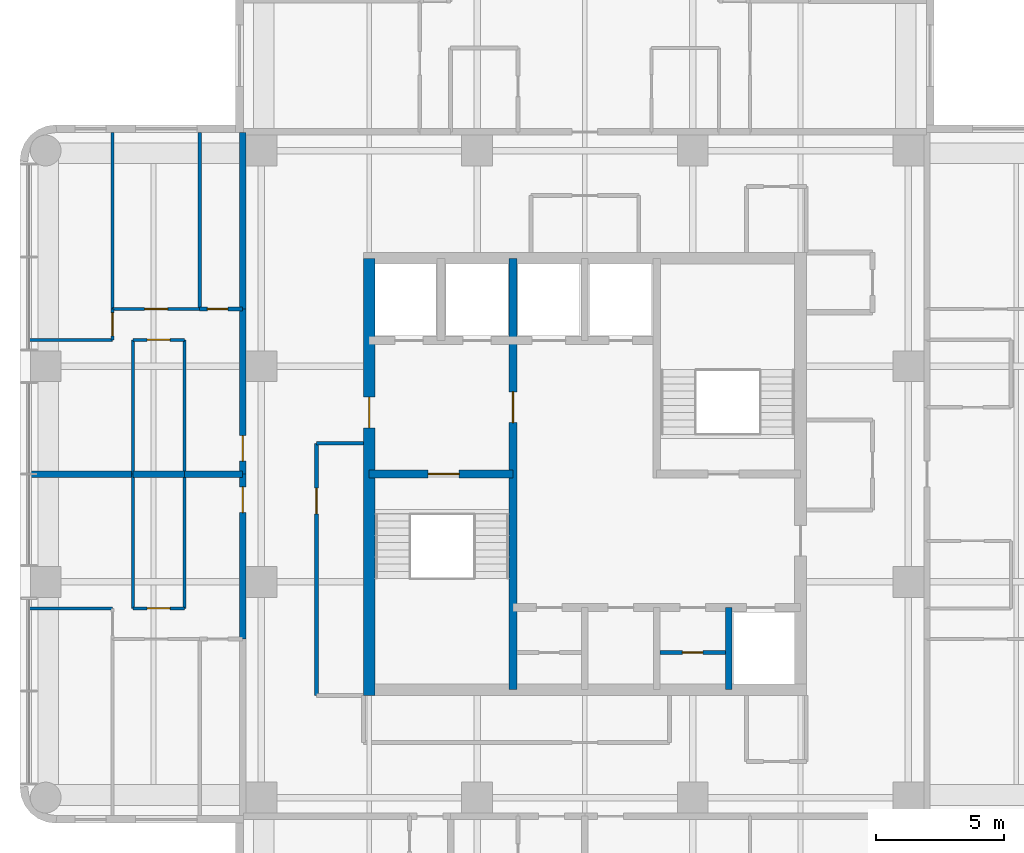
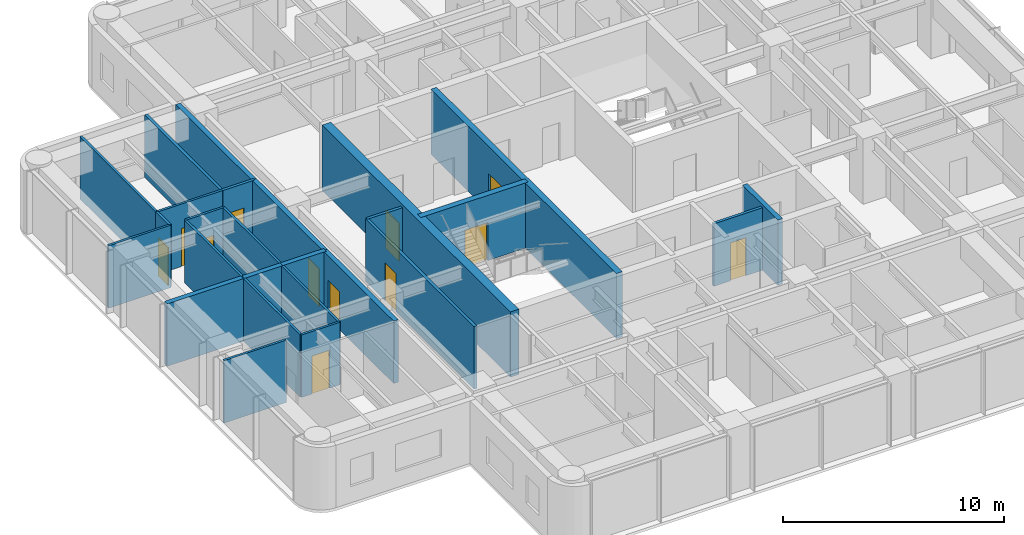
# One storey, part 5 of 10: 26 walls, 12 doors, 12 openings.
"""IFC4 building model written with IfcOpenShell, lengths in metres."""

import ifcopenshell
import ifcopenshell.guid

model = None  # the IFC model being written
_history = None  # IfcOwnerHistory: only IFC2X3 demands one
_inside = {}  # id of a spatial element -> (the spatial element, [elements in it])
_under = {}  # id of a project, library or spatial element -> (it, [spatial elements below it])
_declared = {}  # id of a project -> (the project, [libraries it declares])
_typed = {}  # id of a type object -> (the type object, [elements of that type])
_made_of = {}  # id of a material, layer set ... -> (it, [elements and type objects made of it])


def new_model(schema):
    """Start an empty IFC model of exactly this schema.

    Asked for "IFC4X3", IfcOpenShell would pick the latest addendum, in which some entities
    have other attributes; the version numbers below select the first issue.
    IFC2X3 requires an IfcOwnerHistory on every rooted entity: one is made here for all.
    """
    global model, _history
    if schema == "IFC4X3":
        model = ifcopenshell.file(schema_version=(4, 3, 0, 0))
    else:
        model = ifcopenshell.file(schema=schema)
    _inside.clear()
    _under.clear()
    _declared.clear()
    _typed.clear()
    _made_of.clear()
    _history = None
    if model.schema == "IFC2X3":
        org = make("IfcOrganization", Name="unknown")
        user = make(
            "IfcPersonAndOrganization",
            ThePerson=make("IfcPerson", FamilyName="unknown"),
            TheOrganization=org,
        )
        app = make(
            "IfcApplication",
            ApplicationDeveloper=org,
            Version="unknown",
            ApplicationFullName="unknown",
            ApplicationIdentifier="unknown",
        )
        _history = make(
            "IfcOwnerHistory",
            OwningUser=user,
            OwningApplication=app,
            ChangeAction="ADDED",
            CreationDate=0,
        )
    return model


def make(cls, **values):
    """One entity of the class cls with the attributes given. An attribute that is None is left unset."""
    return model.create_entity(
        cls, **{name: value for name, value in values.items() if value is not None}
    )


def rooted(cls, **values):
    """An entity with a GlobalId (a new one), such as an element, a storey or a relation."""
    return make(cls, GlobalId=ifcopenshell.guid.new(), OwnerHistory=_history, **values)


def si_unit(unit_type, name, prefix=None):
    """IfcSIUnit, for example si_unit("LENGTHUNIT", "METRE", prefix="MILLI")."""
    return make("IfcSIUnit", UnitType=unit_type, Prefix=prefix, Name=name)


def assignment(units):
    """IfcUnitAssignment: the units of a project."""
    return None if units is None else make("IfcUnitAssignment", Units=units)


def point(xyz):
    """IfcCartesianPoint."""
    return None if xyz is None else make("IfcCartesianPoint", Coordinates=xyz)


def direction(xyz):
    """IfcDirection."""
    return None if xyz is None else make("IfcDirection", DirectionRatios=xyz)


def frame(location, z_axis=None, x_axis=None):
    """IfcAxis2Placement3D, a coordinate frame: its origin and axes. An axis left out is left unset."""
    return make(
        "IfcAxis2Placement3D",
        Location=point(location),
        Axis=direction(z_axis),
        RefDirection=direction(x_axis),
    )


def frame_2d(location, x_axis=None):
    """IfcAxis2Placement2D, a coordinate frame in the plane: its origin and x axis."""
    return make(
        "IfcAxis2Placement2D", Location=point(location), RefDirection=direction(x_axis)
    )


def origin():
    """The frame at (0, 0, 0) with its axes left unset."""
    return frame((0.0, 0.0, 0.0))


def place(relative_to, where):
    """IfcLocalPlacement: puts the frame where relative to a parent placement (None: the world)."""
    return make(
        "IfcLocalPlacement", PlacementRelTo=relative_to, RelativePlacement=where
    )


def context(
    kind, dimensions, precision=None, world=None, true_north=None, identifier=None
):
    """IfcGeometricRepresentationContext, for example the 3D "Model" context."""
    return make(
        "IfcGeometricRepresentationContext",
        ContextIdentifier=identifier,
        ContextType=kind,
        CoordinateSpaceDimension=dimensions,
        Precision=precision,
        WorldCoordinateSystem=world,
        TrueNorth=true_north,
    )


def subcontext(parent, identifier, kind, view, scale=None):
    """IfcGeometricRepresentationSubContext, for example "Body" below "Model"."""
    return make(
        "IfcGeometricRepresentationSubContext",
        ContextIdentifier=identifier,
        ContextType=kind,
        ParentContext=parent,
        TargetScale=scale,
        TargetView=view,
    )


def project(units=None, contexts=None):
    """IfcProject with its units and contexts."""
    return rooted(
        "IfcProject",
        Name="project",
        RepresentationContexts=contexts,
        UnitsInContext=assignment(units),
    )


def spatial(cls, under=None, at=None, **own):
    """A site, building, storey or space (cls), placed at a placement, below another one or the project."""
    s = rooted(cls, ObjectPlacement=at, **own)
    if under is not None:
        _under.setdefault(under.id(), (under, []))[1].append(s)
    return s


def profile(cls, at=None, kind="AREA", **sizes):
    """A parametric profile (cls). Its sizes go by their IFC names, for example OverallWidth=200.0."""
    return make(cls, ProfileType=kind, Position=at, **sizes)


def rectangle(**sizes):
    """IfcRectangleProfileDef."""
    return profile("IfcRectangleProfileDef", **sizes)


def extrude(swept, where, along, depth):
    """IfcExtrudedAreaSolid: the profile swept, set in the frame where, extruded along a direction by depth."""
    return make(
        "IfcExtrudedAreaSolid",
        SweptArea=swept,
        Position=where,
        ExtrudedDirection=direction(along),
        Depth=depth,
    )


def shape(context_of_items, identifier, shape_type, items):
    """IfcShapeRepresentation: the items that make up one representation, for example the "Body"."""
    return make(
        "IfcShapeRepresentation",
        ContextOfItems=context_of_items,
        RepresentationIdentifier=identifier,
        RepresentationType=shape_type,
        Items=items,
    )


def material(Name=None, Category=None):
    """IfcMaterial."""
    return make("IfcMaterial", Name=Name, Category=Category)


def layer(
    of_material, thickness, ventilated=None, Name=None, Category=None, Priority=None
):
    """IfcMaterialLayer: one layer of a wall or slab, of a material (None: an air gap)."""
    return make(
        "IfcMaterialLayer",
        Material=of_material,
        LayerThickness=thickness,
        IsVentilated=ventilated,
        Name=Name,
        Category=Category,
        Priority=Priority,
    )


def layer_set(layers, Name=None):
    """IfcMaterialLayerSet."""
    return make("IfcMaterialLayerSet", MaterialLayers=layers, LayerSetName=Name)


def made_of(thing, what):
    """Note that an element or type object is made of a material, layer set ...; save() writes the relation."""
    if what is not None:
        _made_of.setdefault(what.id(), (what, []))[1].append(thing)
    return thing


def type_object(cls, material=None, **own):
    """A type object (cls), such as IfcWallType, which elements share."""
    return made_of(rooted(cls, **own), material)


def element(
    cls,
    number,
    at=None,
    inside=None,
    cuts=None,
    type_object=None,
    material=None,
    context=None,
    identifier="Body",
    shape_type=None,
    held_by="IfcProductDefinitionShape",
    body=None,
    shapes=None,
    **own,
):
    """One element of the class cls, such as IfcWall. Its Tag is "e" and its number.

    at: its placement. inside: the storey or other place that contains it. cuts: it is an
    opening in that element (IfcRelVoidsElement). A single representation is given by context,
    identifier, shape_type and body (its items); several are given by shapes. held_by: the class
    of the entity that holds the representations. save() writes the other relations.
    """
    e = rooted(cls, Tag="e%d" % number, ObjectPlacement=at, **own)
    if body is not None:
        shapes = [shape(context, identifier, shape_type, body)]
    if shapes is not None:
        e.Representation = make(held_by, Representations=shapes)
    if inside is not None:
        _inside.setdefault(inside.id(), (inside, []))[1].append(e)
    if cuts is not None:
        rooted(
            "IfcRelVoidsElement", RelatingBuildingElement=cuts, RelatedOpeningElement=e
        )
    if type_object is not None:
        _typed.setdefault(type_object.id(), (type_object, []))[1].append(e)
    return made_of(e, material)


def fill(opening, filler):
    """IfcRelFillsElement: the door or window that sits in an opening."""
    return rooted(
        "IfcRelFillsElement",
        RelatingOpeningElement=opening,
        RelatedBuildingElement=filler,
    )


def aggregate(whole, parts):
    """IfcRelAggregates: a whole, such as a stair, and the parts it consists of."""
    return rooted("IfcRelAggregates", RelatingObject=whole, RelatedObjects=parts)


def save(model, path):
    """Write the relations noted so far, then the file.

    IfcRelAggregates (storeys below a building ...), IfcRelContainedInSpatialStructure (elements
    in a storey), IfcRelDefinesByType, IfcRelAssociatesMaterial and IfcRelDeclares: one each for
    every whole, place, type object, material and project.
    """
    for whole, parts in _under.values():
        aggregate(whole, parts)
    for where, things in _inside.values():
        rooted(
            "IfcRelContainedInSpatialStructure",
            RelatedElements=things,
            RelatingStructure=where,
        )
    for kind, things in _typed.values():
        rooted("IfcRelDefinesByType", RelatedObjects=things, RelatingType=kind)
    for what, things in _made_of.values():
        rooted("IfcRelAssociatesMaterial", RelatedObjects=things, RelatingMaterial=what)
    for by, libraries in _declared.values():
        rooted("IfcRelDeclares", RelatingContext=by, RelatedDefinitions=libraries)
    model.write(path)


model = new_model("IFC4")

# Units and contexts
model_context = context("Model", 3, precision=1e-05, world=origin(), true_north=direction((0.0, 1.0)))
body_context = subcontext(model_context, "Body", "Model", "MODEL_VIEW")
ifc_project = project(units=[si_unit("LENGTHUNIT", "METRE"), si_unit("AREAUNIT", "SQUARE_METRE"), si_unit("VOLUMEUNIT", "CUBIC_METRE"), si_unit("PLANEANGLEUNIT", "RADIAN"), si_unit("MASSUNIT", "GRAM", prefix="KILO")], contexts=[model_context])

# Site, building, storey
site_placement = place(None, origin())
site = spatial("IfcSite", under=ifc_project, at=site_placement, CompositionType="ELEMENT")
building_placement = place(site_placement, origin())
building = spatial("IfcBuilding", under=site, at=building_placement, Name="Torre Alcanfor", CompositionType="ELEMENT")
storey_placement = place(building_placement, frame((0.0, 0.0, 261.300048828125)))
storey = spatial("IfcBuildingStorey", under=building, at=storey_placement, Name="L68", CompositionType="ELEMENT", Elevation=261.300048828125)

# Wall, opening, door
ifc_material_1 = material(Name="Concrete block masonry, hollow blocks NMX-C-404 9 MPa", Category="masonry")
ifc_layer_1 = layer(ifc_material_1, 0.25)
ifc_layer_set_1 = layer_set([ifc_layer_1], Name="Apartment entrance wall 250 EI 60")
wall_type_1 = type_object("IfcWallType", Name="Apartment entrance wall 250 EI 60", PredefinedType="PARTITIONING", material=ifc_layer_set_1)
wall_1_placement = place(storey_placement, frame((16.074951171875, 22.970947265625, 0.0), z_axis=(0.0, 0.0, 1.0), x_axis=(0.0, 1.0, 0.0)))
wall_1 = element("IfcWall", 1, at=wall_1_placement, inside=storey, type_object=wall_type_1, Name="Partition L68-CORR / L68-W1-LIVING", PredefinedType="PARTITIONING", context=body_context, shape_type="SweptSolid", body=[
    extrude(rectangle(XDim=6.428955078125, YDim=0.25, at=frame_2d((3.21435546875, 0.0))), origin(), (0.0, 0.0, 1.0), 3.449951171875),
])
opening_1_placement = place(wall_1_placement, frame((4.928955078125, 0.0, 0.0)))
opening_1 = element("IfcOpeningElement", 2, at=opening_1_placement, cuts=wall_1, Name="Opening D-A1", PredefinedType="OPENING", context=body_context, shape_type="SweptSolid", body=[
    extrude(rectangle(XDim=1.0, YDim=2.10009765625, at=frame_2d((0.5, 1.050048828125))), frame((0.0, 0.135009765625, 0.0), z_axis=(0.0, -1.0, 0.0), x_axis=(1.0, 0.0, 0.0)), (0.0, 0.0, 1.0), 0.27001953125),
])
ifc_material_2 = material(Name="Galvanised steel sheet ASTM A653", Category="steel")
door_type_1 = type_object("IfcDoorType", Name="Apartment entrance door FD60 1000x2100", OperationType="SINGLE_SWING_LEFT", PredefinedType="DOOR", material=ifc_material_2)
door_1_placement = place(opening_1_placement, origin())
door_1 = element("IfcDoor", 3, at=door_1_placement, inside=storey, type_object=door_type_1, Name="Apartment entrance L68-W1", OperationType="SINGLE_SWING_RIGHT", OverallHeight=2.10009765625, OverallWidth=1.0, PredefinedType="DOOR", context=body_context, shape_type="SweptSolid", body=[
    extrude(rectangle(XDim=1.0, YDim=2.10009765625, at=frame_2d((0.5, 1.050048828125))), frame((0.0, 0.02490234375, 0.0), z_axis=(0.0, -1.0, 0.0), x_axis=(1.0, 0.0, 0.0)), (0.0, 0.0, 1.0), 0.050048828125),
])
fill(opening_1, door_1)

wall_2_placement = place(storey_placement, frame((16.074951171875, 29.39990234375, 0.0), z_axis=(0.0, 0.0, 1.0), x_axis=(0.0, 1.0, 0.0)))
wall_2 = element("IfcWall", 4, at=wall_2_placement, inside=storey, type_object=wall_type_1, Name="Partition L68-CORR / L68-W2-LIVING", PredefinedType="PARTITIONING", context=body_context, shape_type="SweptSolid", body=[
    extrude(rectangle(XDim=6.42919921875, YDim=0.25, at=frame_2d((3.214599609375, 0.0))), origin(), (0.0, 0.0, 1.0), 3.449951171875),
])
opening_2_placement = place(wall_2_placement, frame((0.5, 0.0, 0.0)))
opening_2 = element("IfcOpeningElement", 5, at=opening_2_placement, cuts=wall_2, Name="Opening D-A1", PredefinedType="OPENING", context=body_context, shape_type="SweptSolid", body=[
    extrude(rectangle(XDim=1.0, YDim=2.10009765625, at=frame_2d((0.5, 1.050048828125))), frame((0.0, 0.135009765625, 0.0), z_axis=(0.0, -1.0, 0.0), x_axis=(1.0, 0.0, 0.0)), (0.0, 0.0, 1.0), 0.27001953125),
])
door_2_placement = place(opening_2_placement, origin())
door_2 = element("IfcDoor", 6, at=door_2_placement, inside=storey, type_object=door_type_1, Name="Apartment entrance L68-W2", OperationType="SINGLE_SWING_LEFT", OverallHeight=2.10009765625, OverallWidth=1.0, PredefinedType="DOOR", context=body_context, shape_type="SweptSolid", body=[
    extrude(rectangle(XDim=1.0, YDim=2.10009765625, at=frame_2d((0.5, 1.050048828125))), frame((0.0, 0.02490234375, 0.0), z_axis=(0.0, -1.0, 0.0), x_axis=(1.0, 0.0, 0.0)), (0.0, 0.0, 1.0), 0.050048828125),
])
fill(opening_2, door_2)

# Walls
wall_3_placement = place(storey_placement, frame((16.074951171875, 35.8291015625, 0.0), z_axis=(0.0, 0.0, 1.0), x_axis=(0.0, 1.0, 0.0)))
element("IfcWall", 7, at=wall_3_placement, inside=storey, type_object=wall_type_1, Name="Partition L68-CORR / L68-W2-BATH", PredefinedType="PARTITIONING", context=body_context, shape_type="SweptSolid", body=[
    extrude(rectangle(XDim=6.870849609375, YDim=0.25, at=frame_2d((3.435546875, 0.0))), origin(), (0.0, 0.0, 1.0), 3.449951171875),
])
ifc_material_3 = material(Name="Gypsum board on steel studs", Category="steel")
ifc_layer_2 = layer(ifc_material_3, 0.1201171875)
ifc_layer_set_2 = layer_set([ifc_layer_2], Name="Apartment partition 120")
wall_type_2 = type_object("IfcWallType", Name="Apartment partition 120", PredefinedType="PARTITIONING", material=ifc_layer_set_2)
wall_4_placement = place(storey_placement, frame((11.800048828125, 29.39990234375, 0.0), z_axis=(0.0, 0.0, 1.0), x_axis=(0.0, -1.0, 0.0)))
element("IfcWall", 8, at=wall_4_placement, inside=storey, type_object=wall_type_2, Name="Partition L68-W1-KITCHEN / L68-W1-LIVING", PredefinedType="PARTITIONING", context=body_context, shape_type="SweptSolid", body=[
    extrude(rectangle(XDim=5.22900390625, YDim=0.1201171875, at=frame_2d((2.614501953125, 0.0))), origin(), (0.0, 0.0, 1.0), 3.449951171875),
])

# Wall, opening, door
wall_5_placement = place(storey_placement, frame((11.800048828125, 24.1708984375, 0.0), z_axis=(0.0, 0.0, 1.0), x_axis=(1.0, 0.0, 0.0)))
wall_5 = element("IfcWall", 9, at=wall_5_placement, inside=storey, type_object=wall_type_2, Name="Partition L68-W1-KITCHEN / L68-W1-LIVING", PredefinedType="PARTITIONING", context=body_context, shape_type="SweptSolid", body=[
    extrude(rectangle(XDim=2.0, YDim=0.1201171875, at=frame_2d((1.0, 0.0))), origin(), (0.0, 0.0, 1.0), 3.449951171875),
])
opening_3_placement = place(wall_5_placement, frame((0.550048828125, 0.0, 0.0)))
opening_3 = element("IfcOpeningElement", 10, at=opening_3_placement, cuts=wall_5, Name="Opening D-R1", PredefinedType="OPENING", context=body_context, shape_type="SweptSolid", body=[
    extrude(rectangle(XDim=0.89990234375, YDim=2.10009765625, at=frame_2d((0.449951171875, 1.050048828125))), frame((0.0, 0.070068359375, 0.0), z_axis=(0.0, -1.0, 0.0), x_axis=(1.0, 0.0, 0.0)), (0.0, 0.0, 1.0), 0.14013671875),
])
ifc_material_4 = material(Name="Timber", Category="wood")
door_type_2 = type_object("IfcDoorType", Name="Internal door 900x2100", OperationType="SINGLE_SWING_LEFT", PredefinedType="DOOR", material=ifc_material_4)
door_3_placement = place(opening_3_placement, origin())
door_3 = element("IfcDoor", 11, at=door_3_placement, inside=storey, type_object=door_type_2, Name="Door L68-W1 kitchen", OperationType="SINGLE_SWING_LEFT", OverallHeight=2.10009765625, OverallWidth=0.89990234375, PredefinedType="DOOR", context=body_context, shape_type="SweptSolid", body=[
    extrude(rectangle(XDim=0.89990234375, YDim=2.10009765625, at=frame_2d((0.449951171875, 1.050048828125))), frame((0.0, 0.02490234375, 0.0), z_axis=(0.0, -1.0, 0.0), x_axis=(1.0, 0.0, 0.0)), (0.0, 0.0, 1.0), 0.050048828125),
])
fill(opening_3, door_3)

# Walls
wall_6_placement = place(storey_placement, frame((13.800048828125, 24.1708984375, 0.0), z_axis=(0.0, 0.0, 1.0), x_axis=(0.0, 1.0, 0.0)))
element("IfcWall", 12, at=wall_6_placement, inside=storey, type_object=wall_type_2, Name="Partition L68-W1-KITCHEN / L68-W1-LIVING", PredefinedType="PARTITIONING", context=body_context, shape_type="SweptSolid", body=[
    extrude(rectangle(XDim=5.22900390625, YDim=0.1201171875, at=frame_2d((2.614501953125, 0.0))), origin(), (0.0, 0.0, 1.0), 3.449951171875),
])
wall_7_placement = place(storey_placement, frame((11.0, 24.1708984375, 0.0), z_axis=(0.0, 0.0, 1.0), x_axis=(-1.0, 0.0, 0.0)))
element("IfcWall", 13, at=wall_7_placement, inside=storey, type_object=wall_type_2, Name="Partition L68-W1-LIVING / L68-W1-MASTER", PredefinedType="PARTITIONING", context=body_context, shape_type="SweptSolid", body=[
    extrude(rectangle(XDim=3.25, YDim=0.1201171875, at=frame_2d((1.625, 0.0))), origin(), (0.0, 0.0, 1.0), 3.449951171875),
])
wall_8_placement = place(storey_placement, frame((11.800048828125, 29.39990234375, 0.0), z_axis=(0.0, 0.0, 1.0), x_axis=(0.0, 1.0, 0.0)))
element("IfcWall", 14, at=wall_8_placement, inside=storey, type_object=wall_type_2, Name="Partition L68-W2-KITCHEN / L68-W2-LIVING", PredefinedType="PARTITIONING", context=body_context, shape_type="SweptSolid", body=[
    extrude(rectangle(XDim=5.22900390625, YDim=0.1201171875, at=frame_2d((2.614501953125, 0.0))), origin(), (0.0, 0.0, 1.0), 3.449951171875),
])

# Wall, opening, door
wall_9_placement = place(storey_placement, frame((11.800048828125, 34.62890625, 0.0), z_axis=(0.0, 0.0, 1.0), x_axis=(1.0, 0.0, 0.0)))
wall_9 = element("IfcWall", 15, at=wall_9_placement, inside=storey, type_object=wall_type_2, Name="Partition L68-W2-KITCHEN / L68-W2-LIVING", PredefinedType="PARTITIONING", context=body_context, shape_type="SweptSolid", body=[
    extrude(rectangle(XDim=2.0, YDim=0.1201171875, at=frame_2d((1.0, 0.0))), origin(), (0.0, 0.0, 1.0), 3.449951171875),
])
opening_4_placement = place(wall_9_placement, frame((0.550048828125, 0.0, 0.0)))
opening_4 = element("IfcOpeningElement", 16, at=opening_4_placement, cuts=wall_9, Name="Opening D-R1", PredefinedType="OPENING", context=body_context, shape_type="SweptSolid", body=[
    extrude(rectangle(XDim=0.89990234375, YDim=2.10009765625, at=frame_2d((0.449951171875, 1.050048828125))), frame((0.0, 0.070068359375, 0.0), z_axis=(0.0, -1.0, 0.0), x_axis=(1.0, 0.0, 0.0)), (0.0, 0.0, 1.0), 0.14013671875),
])
door_4_placement = place(opening_4_placement, frame((0.89990234375, 0.0, 0.0), z_axis=(0.0, 0.0, 1.0), x_axis=(-1.0, 0.0, 0.0)))
door_4 = element("IfcDoor", 17, at=door_4_placement, inside=storey, type_object=door_type_2, Name="Door L68-W2 kitchen", OperationType="SINGLE_SWING_RIGHT", OverallHeight=2.10009765625, OverallWidth=0.89990234375, PredefinedType="DOOR", context=body_context, shape_type="SweptSolid", body=[
    extrude(rectangle(XDim=0.89990234375, YDim=2.10009765625, at=frame_2d((0.449951171875, 1.050048828125))), frame((0.0, 0.025146484375, 0.0), z_axis=(0.0, -1.0, 0.0), x_axis=(1.0, 0.0, 0.0)), (0.0, 0.0, 1.0), 0.050048828125),
])
fill(opening_4, door_4)

# Wall
wall_10_placement = place(storey_placement, frame((13.800048828125, 34.62890625, 0.0), z_axis=(0.0, 0.0, 1.0), x_axis=(0.0, -1.0, 0.0)))
element("IfcWall", 18, at=wall_10_placement, inside=storey, type_object=wall_type_2, Name="Partition L68-W2-KITCHEN / L68-W2-LIVING", PredefinedType="PARTITIONING", context=body_context, shape_type="SweptSolid", body=[
    extrude(rectangle(XDim=5.22900390625, YDim=0.1201171875, at=frame_2d((2.614501953125, 0.0))), origin(), (0.0, 0.0, 1.0), 3.449951171875),
])

# Wall, opening, door
wall_11_placement = place(storey_placement, frame((11.0, 35.8291015625, 0.0), z_axis=(0.0, 0.0, 1.0), x_axis=(1.0, 0.0, 0.0)))
wall_11 = element("IfcWall", 19, at=wall_11_placement, inside=storey, type_object=wall_type_2, Name="Partition L68-W2-LIVING / L68-W2-STUDY", PredefinedType="PARTITIONING", context=body_context, shape_type="SweptSolid", body=[
    extrude(rectangle(XDim=3.39990234375, YDim=0.1201171875, at=frame_2d((1.699951171875, 0.0))), origin(), (0.0, 0.0, 1.0), 3.449951171875),
])
opening_5_placement = place(wall_11_placement, frame((1.25, 0.0, 0.0)))
opening_5 = element("IfcOpeningElement", 20, at=opening_5_placement, cuts=wall_11, Name="Opening D-R1", PredefinedType="OPENING", context=body_context, shape_type="SweptSolid", body=[
    extrude(rectangle(XDim=0.89990234375, YDim=2.10009765625, at=frame_2d((0.449951171875, 1.050048828125))), frame((0.0, 0.070068359375, 0.0), z_axis=(0.0, -1.0, 0.0), x_axis=(1.0, 0.0, 0.0)), (0.0, 0.0, 1.0), 0.14013671875),
])
door_5_placement = place(opening_5_placement, origin())
door_5 = element("IfcDoor", 21, at=door_5_placement, inside=storey, type_object=door_type_2, Name="Door L68-W2 study", OperationType="SINGLE_SWING_LEFT", OverallHeight=2.10009765625, OverallWidth=0.89990234375, PredefinedType="DOOR", context=body_context, shape_type="SweptSolid", body=[
    extrude(rectangle(XDim=0.89990234375, YDim=2.10009765625, at=frame_2d((0.449951171875, 1.050048828125))), frame((0.0, 0.02490234375, 0.0), z_axis=(0.0, -1.0, 0.0), x_axis=(1.0, 0.0, 0.0)), (0.0, 0.0, 1.0), 0.050048828125),
])
fill(opening_5, door_5)

# Wall
wall_12_placement = place(storey_placement, frame((7.75, 34.62890625, 0.0), z_axis=(0.0, 0.0, 1.0), x_axis=(1.0, 0.0, 0.0)))
element("IfcWall", 22, at=wall_12_placement, inside=storey, type_object=wall_type_2, Name="Partition L68-W2-LIVING / L68-W2-MASTER", PredefinedType="PARTITIONING", context=body_context, shape_type="SweptSolid", body=[
    extrude(rectangle(XDim=3.25, YDim=0.1201171875, at=frame_2d((1.625, 0.0))), origin(), (0.0, 0.0, 1.0), 3.449951171875),
])

# Wall, opening, door
wall_13_placement = place(storey_placement, frame((11.0, 34.62890625, 0.0), z_axis=(0.0, 0.0, 1.0), x_axis=(0.0, 1.0, 0.0)))
wall_13 = element("IfcWall", 23, at=wall_13_placement, inside=storey, type_object=wall_type_2, Name="Partition L68-W2-LIVING / L68-W2-MASTER", PredefinedType="PARTITIONING", context=body_context, shape_type="SweptSolid", body=[
    extrude(rectangle(XDim=1.2001953125, YDim=0.1201171875, at=frame_2d((0.60009765625, 0.0))), origin(), (0.0, 0.0, 1.0), 3.449951171875),
])
opening_6_placement = place(wall_13_placement, frame((0.15087890625, 0.0, 0.0)))
opening_6 = element("IfcOpeningElement", 24, at=opening_6_placement, cuts=wall_13, Name="Opening D-R1", PredefinedType="OPENING", context=body_context, shape_type="SweptSolid", body=[
    extrude(rectangle(XDim=0.89990234375, YDim=2.10009765625, at=frame_2d((0.449951171875, 1.050048828125))), frame((0.0, 0.070068359375, 0.0), z_axis=(0.0, -1.0, 0.0), x_axis=(1.0, 0.0, 0.0)), (0.0, 0.0, 1.0), 0.14013671875),
])
door_6_placement = place(opening_6_placement, origin())
door_6 = element("IfcDoor", 25, at=door_6_placement, inside=storey, type_object=door_type_2, Name="Door L68-W2 master", OperationType="SINGLE_SWING_LEFT", OverallHeight=2.10009765625, OverallWidth=0.89990234375, PredefinedType="DOOR", context=body_context, shape_type="SweptSolid", body=[
    extrude(rectangle(XDim=0.89990234375, YDim=2.10009765625, at=frame_2d((0.449951171875, 1.050048828125))), frame((0.0, 0.02490234375, 0.0), z_axis=(0.0, -1.0, 0.0), x_axis=(1.0, 0.0, 0.0)), (0.0, 0.0, 1.0), 0.050048828125),
])
fill(opening_6, door_6)

# Wall
wall_14_placement = place(storey_placement, frame((11.0, 35.8291015625, 0.0), z_axis=(0.0, 0.0, 1.0), x_axis=(0.0, 1.0, 0.0)))
element("IfcWall", 26, at=wall_14_placement, inside=storey, type_object=wall_type_2, Name="Partition L68-W2-STUDY / L68-W2-MASTER", PredefinedType="PARTITIONING", context=body_context, shape_type="SweptSolid", body=[
    extrude(rectangle(XDim=6.870849609375, YDim=0.1201171875, at=frame_2d((3.435546875, 0.0))), origin(), (0.0, 0.0, 1.0), 3.449951171875),
])

# Wall, opening, door
ifc_material_5 = material(Name="Concrete f'c 70 MPa", Category="concrete")
ifc_layer_3 = layer(ifc_material_5, 0.300048828125)
ifc_layer_set_3 = layer_set([ifc_layer_3], Name="Core inner wall 300 f'c70")
wall_type_3 = type_object("IfcWallType", Name="Core inner wall 300 f'c70", PredefinedType="SHEAR", material=ifc_layer_set_3)
wall_15_placement = place(storey_placement, frame((26.60009765625, 21.0, 0.0), z_axis=(0.0, 0.0, 1.0), x_axis=(0.0, 1.0, 0.0)))
wall_15 = element("IfcWall", 27, at=wall_15_placement, inside=storey, type_object=wall_type_3, Name="Core wall X266 L68", PredefinedType="SHEAR", context=body_context, shape_type="SweptSolid", body=[
    extrude(rectangle(XDim=16.800048828125, YDim=0.300048828125, at=frame_2d((8.39990234375, 0.0))), origin(), (0.0, 0.0, 1.0), 3.599853515625),
])
opening_7_placement = place(wall_15_placement, frame((10.39990234375, 0.0, 0.0)))
opening_7 = element("IfcOpeningElement", 28, at=opening_7_placement, cuts=wall_15, Name="Opening D-L1", PredefinedType="OPENING", context=body_context, shape_type="SweptSolid", body=[
    extrude(rectangle(XDim=1.199951171875, YDim=2.10009765625, at=frame_2d((0.60009765625, 1.050048828125))), frame((0.0, 0.159912109375, 0.0), z_axis=(0.0, -1.0, 0.0), x_axis=(1.0, 0.0, 0.0)), (0.0, 0.0, 1.0), 0.320068359375),
])
ifc_material_6 = material(Name="Galvanised steel sheet ASTM A653", Category="steel")
door_type_3 = type_object("IfcDoorType", Name="Lobby door FD120 1200x2100", OperationType="SINGLE_SWING_LEFT", PredefinedType="DOOR", material=ifc_material_6)
door_7_placement = place(opening_7_placement, origin())
door_7 = element("IfcDoor", 29, at=door_7_placement, inside=storey, type_object=door_type_3, Name="Lift lobby door L68", OperationType="SINGLE_SWING_LEFT", OverallHeight=2.10009765625, OverallWidth=1.199951171875, PredefinedType="DOOR", context=body_context, shape_type="SweptSolid", body=[
    extrude(rectangle(XDim=1.199951171875, YDim=2.10009765625, at=frame_2d((0.60009765625, 1.050048828125))), frame((0.0, 0.02490234375, 0.0), z_axis=(0.0, -1.0, 0.0), x_axis=(1.0, 0.0, 0.0)), (0.0, 0.0, 1.0), 0.050048828125),
])
fill(opening_7, door_7)

wall_16_placement = place(storey_placement, frame((21.0, 29.39990234375, 0.0), z_axis=(0.0, 0.0, 1.0), x_axis=(1.0, 0.0, 0.0)))
wall_16 = element("IfcWall", 30, at=wall_16_placement, inside=storey, type_object=wall_type_3, Name="Core wall Y294W L68", PredefinedType="SHEAR", context=body_context, shape_type="SweptSolid", body=[
    extrude(rectangle(XDim=5.60009765625, YDim=0.300048828125, at=frame_2d((2.800048828125, 0.0))), origin(), (0.0, 0.0, 1.0), 3.599853515625),
])
opening_8_placement = place(wall_16_placement, frame((2.300048828125, 0.0, 0.0)))
opening_8 = element("IfcOpeningElement", 31, at=opening_8_placement, cuts=wall_16, Name="Opening D-S2", PredefinedType="OPENING", context=body_context, shape_type="SweptSolid", body=[
    extrude(rectangle(XDim=1.199951171875, YDim=2.10009765625, at=frame_2d((0.60009765625, 1.050048828125))), frame((0.0, 0.159912109375, 0.0), z_axis=(0.0, -1.0, 0.0), x_axis=(1.0, 0.0, 0.0)), (0.0, 0.0, 1.0), 0.320068359375),
])
ifc_material_7 = material(Name="Galvanised steel sheet ASTM A653", Category="steel")
door_type_4 = type_object("IfcDoorType", Name="Stair enclosure door FD120 1200x2100", OperationType="SINGLE_SWING_LEFT", PredefinedType="DOOR", material=ifc_material_7)
door_8_placement = place(opening_8_placement, frame((1.199951171875, 0.0, 0.0), z_axis=(0.0, 0.0, 1.0), x_axis=(-1.0, 0.0, 0.0)))
door_8 = element("IfcDoor", 32, at=door_8_placement, inside=storey, type_object=door_type_4, Name="Stair S1 door L68", OperationType="SINGLE_SWING_LEFT", OverallHeight=2.10009765625, OverallWidth=1.199951171875, PredefinedType="DOOR", context=body_context, shape_type="SweptSolid", body=[
    extrude(rectangle(XDim=1.199951171875, YDim=2.10009765625, at=frame_2d((0.599853515625, 1.050048828125))), frame((0.0, 0.025146484375, 0.0), z_axis=(0.0, -1.0, 0.0), x_axis=(1.0, 0.0, 0.0)), (0.0, 0.0, 1.0), 0.050048828125),
])
fill(opening_8, door_8)

# Wall
ifc_material_8 = material(Name="Concrete f'c 70 MPa", Category="concrete")
ifc_layer_4 = layer(ifc_material_8, 0.25)
ifc_layer_set_4 = layer_set([ifc_layer_4], Name="Core shaft wall 250 f'c70")
wall_type_4 = type_object("IfcWallType", Name="Core shaft wall 250 f'c70", PredefinedType="SHEAR", material=ifc_layer_set_4)
wall_17_placement = place(storey_placement, frame((35.0, 21.0, 0.0), z_axis=(0.0, 0.0, 1.0), x_axis=(0.0, 1.0, 0.0)))
element("IfcWall", 33, at=wall_17_placement, inside=storey, type_object=wall_type_4, Name="Core wall X350S L68", PredefinedType="SHEAR", context=body_context, shape_type="SweptSolid", body=[
    extrude(rectangle(XDim=3.199951171875, YDim=0.25, at=frame_2d((1.60009765625, 0.0))), origin(), (0.0, 0.0, 1.0), 3.599853515625),
])

# Wall, opening, door
ifc_material_9 = material(Name="Concrete f'c 70 MPa", Category="concrete")
ifc_layer_5 = layer(ifc_material_9, 0.449951171875)
ifc_layer_set_5 = layer_set([ifc_layer_5], Name="Core wall 450 f'c70")
wall_type_5 = type_object("IfcWallType", Name="Core wall 450 f'c70", PredefinedType="SHEAR", material=ifc_layer_set_5)
wall_18_placement = place(storey_placement, frame((21.0, 37.800048828125, 0.0), z_axis=(0.0, 0.0, 1.0), x_axis=(0.0, -1.0, 0.0)))
wall_18 = element("IfcWall", 34, at=wall_18_placement, inside=storey, type_object=wall_type_5, Name="Core wall OUT-W L68", PredefinedType="SHEAR", context=body_context, shape_type="SweptSolid", body=[
    extrude(rectangle(XDim=17.025146484375, YDim=0.449951171875, at=frame_2d((8.5126953125, 0.0))), origin(), (0.0, 0.0, 1.0), 3.599853515625),
])
opening_9_placement = place(wall_18_placement, frame((5.39990234375, 0.0, 0.0)))
opening_9 = element("IfcOpeningElement", 35, at=opening_9_placement, cuts=wall_18, Name="Opening D-L1", PredefinedType="OPENING", context=body_context, shape_type="SweptSolid", body=[
    extrude(rectangle(XDim=1.199951171875, YDim=2.10009765625, at=frame_2d((0.60009765625, 1.050048828125))), frame((0.0, 0.23486328125, 0.0), z_axis=(0.0, -1.0, 0.0), x_axis=(1.0, 0.0, 0.0)), (0.0, 0.0, 1.0), 0.469970703125),
])
door_9_placement = place(opening_9_placement, origin())
door_9 = element("IfcDoor", 36, at=door_9_placement, inside=storey, type_object=door_type_3, Name="Firefighting lobby door L68", OperationType="SINGLE_SWING_RIGHT", OverallHeight=2.10009765625, OverallWidth=1.199951171875, PredefinedType="DOOR", context=body_context, shape_type="SweptSolid", body=[
    extrude(rectangle(XDim=1.199951171875, YDim=2.10009765625, at=frame_2d((0.60009765625, 1.050048828125))), frame((0.0, 0.02490234375, 0.0), z_axis=(0.0, -1.0, 0.0), x_axis=(1.0, 0.0, 0.0)), (0.0, 0.0, 1.0), 0.050048828125),
])
fill(opening_9, door_9)

# Walls
ifc_material_10 = material(Name="Concrete block masonry, hollow blocks NMX-C-404 9 MPa", Category="masonry")
ifc_layer_6 = layer(ifc_material_10, 0.25)
ifc_layer_set_6 = layer_set([ifc_layer_6], Name="Party wall 250 EI 60")
wall_type_6 = type_object("IfcWallType", Name="Party wall 250 EI 60", PredefinedType="PARTITIONING", material=ifc_layer_set_6)
wall_19_placement = place(storey_placement, frame((13.800048828125, 29.39990234375, 0.0), z_axis=(0.0, 0.0, 1.0), x_axis=(-1.0, 0.0, 0.0)))
element("IfcWall", 37, at=wall_19_placement, inside=storey, type_object=wall_type_6, Name="Partition L68-W1-KITCHEN / L68-W2-KITCHEN", PredefinedType="PARTITIONING", context=body_context, shape_type="SweptSolid", body=[
    extrude(rectangle(XDim=2.0, YDim=0.25, at=frame_2d((1.0, 0.0))), origin(), (0.0, 0.0, 1.0), 3.449951171875),
])
wall_20_placement = place(storey_placement, frame((7.75, 29.39990234375, 0.0), z_axis=(0.0, 0.0, 1.0), x_axis=(1.0, 0.0, 0.0)))
element("IfcWall", 38, at=wall_20_placement, inside=storey, type_object=wall_type_6, Name="Partition L68-W1-LIVING / L68-W2-LIVING", PredefinedType="PARTITIONING", context=body_context, shape_type="SweptSolid", body=[
    extrude(rectangle(XDim=4.050048828125, YDim=0.25, at=frame_2d((2.02490234375, 0.0))), origin(), (0.0, 0.0, 1.0), 3.449951171875),
])
wall_21_placement = place(storey_placement, frame((13.800048828125, 29.39990234375, 0.0), z_axis=(0.0, 0.0, 1.0), x_axis=(1.0, 0.0, 0.0)))
element("IfcWall", 39, at=wall_21_placement, inside=storey, type_object=wall_type_6, Name="Partition L68-W1-LIVING / L68-W2-LIVING", PredefinedType="PARTITIONING", context=body_context, shape_type="SweptSolid", body=[
    extrude(rectangle(XDim=2.27490234375, YDim=0.25, at=frame_2d((1.137451171875, 0.0))), origin(), (0.0, 0.0, 1.0), 3.449951171875),
])
ifc_material_11 = material(Name="Concrete block masonry, hollow blocks NMX-C-404 9 MPa", Category="masonry")
ifc_layer_7 = layer(ifc_material_11, 0.14990234375)
ifc_layer_set_7 = layer_set([ifc_layer_7], Name="Residents' room partition 150")
wall_type_7 = type_object("IfcWallType", Name="Residents' room partition 150", PredefinedType="PARTITIONING", material=ifc_layer_set_7)
wall_22_placement = place(storey_placement, frame((20.77490234375, 30.60009765625, 0.0), z_axis=(0.0, 0.0, 1.0), x_axis=(-1.0, 0.0, 0.0)))
element("IfcWall", 40, at=wall_22_placement, inside=storey, type_object=wall_type_7, Name="Partition L68-CORR / L68-G07", PredefinedType="PARTITIONING", context=body_context, shape_type="SweptSolid", body=[
    extrude(rectangle(XDim=1.824951171875, YDim=0.14990234375, at=frame_2d((0.91259765625, 0.0))), origin(), (0.0, 0.0, 1.0), 3.449951171875),
])

# Wall, opening, door
wall_23_placement = place(storey_placement, frame((18.949951171875, 30.60009765625, 0.0), z_axis=(0.0, 0.0, 1.0), x_axis=(0.0, -1.0, 0.0)))
wall_23 = element("IfcWall", 41, at=wall_23_placement, inside=storey, type_object=wall_type_7, Name="Partition L68-CORR / L68-G07", PredefinedType="PARTITIONING", context=body_context, shape_type="SweptSolid", body=[
    extrude(rectangle(XDim=9.8251953125, YDim=0.14990234375, at=frame_2d((4.91259765625, 0.0))), origin(), (0.0, 0.0, 1.0), 3.449951171875),
])
opening_10_placement = place(wall_23_placement, frame((1.75, 0.0, 0.0)))
opening_10 = element("IfcOpeningElement", 42, at=opening_10_placement, cuts=wall_23, Name="Opening D-M1", PredefinedType="OPENING", context=body_context, shape_type="SweptSolid", body=[
    extrude(rectangle(XDim=1.0, YDim=2.10009765625, at=frame_2d((0.5, 1.050048828125))), frame((0.0, 0.0849609375, 0.0), z_axis=(0.0, -1.0, 0.0), x_axis=(1.0, 0.0, 0.0)), (0.0, 0.0, 1.0), 0.169921875),
])
ifc_material_12 = material(Name="Timber", Category="wood")
door_type_5 = type_object("IfcDoorType", Name="Residents' room door 1000x2100", OperationType="SINGLE_SWING_LEFT", PredefinedType="DOOR", material=ifc_material_12)
door_10_placement = place(opening_10_placement, origin())
door_10 = element("IfcDoor", 43, at=door_10_placement, inside=storey, type_object=door_type_5, Name="Door L68-G07 residents' study", OperationType="SINGLE_SWING_LEFT", OverallHeight=2.10009765625, OverallWidth=1.0, PredefinedType="DOOR", context=body_context, shape_type="SweptSolid", body=[
    extrude(rectangle(XDim=1.0, YDim=2.10009765625, at=frame_2d((0.5, 1.050048828125))), frame((0.0, 0.02490234375, 0.0), z_axis=(0.0, -1.0, 0.0), x_axis=(1.0, 0.0, 0.0)), (0.0, 0.0, 1.0), 0.050048828125),
])
fill(opening_10, door_10)

wall_24_placement = place(storey_placement, frame((32.324951171875, 22.449951171875, 0.0), z_axis=(0.0, 0.0, 1.0), x_axis=(1.0, 0.0, 0.0)))
wall_24 = element("IfcWall", 44, at=wall_24_placement, inside=storey, type_object=wall_type_7, Name="Partition L68-PA3R / L68-PA3C", PredefinedType="PARTITIONING", context=body_context, shape_type="SweptSolid", body=[
    extrude(rectangle(XDim=2.550048828125, YDim=0.14990234375, at=frame_2d((1.27490234375, 0.0))), origin(), (0.0, 0.0, 1.0), 3.449951171875),
])
opening_11_placement = place(wall_24_placement, frame((0.875, 0.0, 0.0)))
opening_11 = element("IfcOpeningElement", 45, at=opening_11_placement, cuts=wall_24, Name="Opening D-R2", PredefinedType="OPENING", context=body_context, shape_type="SweptSolid", body=[
    extrude(rectangle(XDim=0.800048828125, YDim=2.10009765625, at=frame_2d((0.39990234375, 1.050048828125))), frame((0.0, 0.0849609375, 0.0), z_axis=(0.0, -1.0, 0.0), x_axis=(1.0, 0.0, 0.0)), (0.0, 0.0, 1.0), 0.169921875),
])
ifc_material_13 = material(Name="Timber", Category="wood")
door_type_6 = type_object("IfcDoorType", Name="Bathroom door 800x2100", OperationType="SINGLE_SWING_LEFT", PredefinedType="DOOR", material=ifc_material_13)
door_11_placement = place(opening_11_placement, frame((0.800048828125, 0.0, 0.0), z_axis=(0.0, 0.0, 1.0), x_axis=(-1.0, 0.0, 0.0)))
door_11 = element("IfcDoor", 46, at=door_11_placement, inside=storey, type_object=door_type_6, Name="Records cupboard door L68", OperationType="SINGLE_SWING_RIGHT", OverallHeight=2.10009765625, OverallWidth=0.800048828125, PredefinedType="DOOR", context=body_context, shape_type="SweptSolid", body=[
    extrude(rectangle(XDim=0.800048828125, YDim=2.10009765625, at=frame_2d((0.400146484375, 1.050048828125))), frame((0.0, 0.025146484375, 0.0), z_axis=(0.0, -1.0, 0.0), x_axis=(1.0, 0.0, 0.0)), (0.0, 0.0, 1.0), 0.050048828125),
])
fill(opening_11, door_11)

ifc_material_14 = material(Name="Cement board on steel studs", Category="steel")
ifc_layer_8 = layer(ifc_material_14, 0.14990234375)
ifc_layer_set_8 = layer_set([ifc_layer_8], Name="Wet area partition 150")
wall_type_8 = type_object("IfcWallType", Name="Wet area partition 150", PredefinedType="PARTITIONING", material=ifc_layer_set_8)
wall_25_placement = place(storey_placement, frame((14.39990234375, 35.8291015625, 0.0), z_axis=(0.0, 0.0, 1.0), x_axis=(1.0, 0.0, 0.0)))
wall_25 = element("IfcWall", 47, at=wall_25_placement, inside=storey, type_object=wall_type_8, Name="Partition L68-W2-LIVING / L68-W2-BATH", PredefinedType="PARTITIONING", context=body_context, shape_type="SweptSolid", body=[
    extrude(rectangle(XDim=1.675048828125, YDim=0.14990234375, at=frame_2d((0.83740234375, 0.0))), origin(), (0.0, 0.0, 1.0), 3.449951171875),
])
opening_12_placement = place(wall_25_placement, frame((0.300048828125, 0.0, 0.0)))
opening_12 = element("IfcOpeningElement", 48, at=opening_12_placement, cuts=wall_25, Name="Opening D-R2", PredefinedType="OPENING", context=body_context, shape_type="SweptSolid", body=[
    extrude(rectangle(XDim=0.800048828125, YDim=2.10009765625, at=frame_2d((0.39990234375, 1.050048828125))), frame((0.0, 0.0849609375, 0.0), z_axis=(0.0, -1.0, 0.0), x_axis=(1.0, 0.0, 0.0)), (0.0, 0.0, 1.0), 0.169921875),
])
door_12_placement = place(opening_12_placement, origin())
door_12 = element("IfcDoor", 49, at=door_12_placement, inside=storey, type_object=door_type_6, Name="Door L68-W2 bath", OperationType="SINGLE_SWING_LEFT", OverallHeight=2.10009765625, OverallWidth=0.800048828125, PredefinedType="DOOR", context=body_context, shape_type="SweptSolid", body=[
    extrude(rectangle(XDim=0.800048828125, YDim=2.10009765625, at=frame_2d((0.39990234375, 1.050048828125))), frame((0.0, 0.02490234375, 0.0), z_axis=(0.0, -1.0, 0.0), x_axis=(1.0, 0.0, 0.0)), (0.0, 0.0, 1.0), 0.050048828125),
])
fill(opening_12, door_12)

# Wall
wall_26_placement = place(storey_placement, frame((14.39990234375, 35.8291015625, 0.0), z_axis=(0.0, 0.0, 1.0), x_axis=(0.0, 1.0, 0.0)))
element("IfcWall", 50, at=wall_26_placement, inside=storey, type_object=wall_type_8, Name="Partition L68-W2-BATH / L68-W2-STUDY", PredefinedType="PARTITIONING", context=body_context, shape_type="SweptSolid", body=[
    extrude(rectangle(XDim=6.870849609375, YDim=0.14990234375, at=frame_2d((3.435546875, 0.0))), origin(), (0.0, 0.0, 1.0), 3.449951171875),
])

save(model, "model.ifc")
